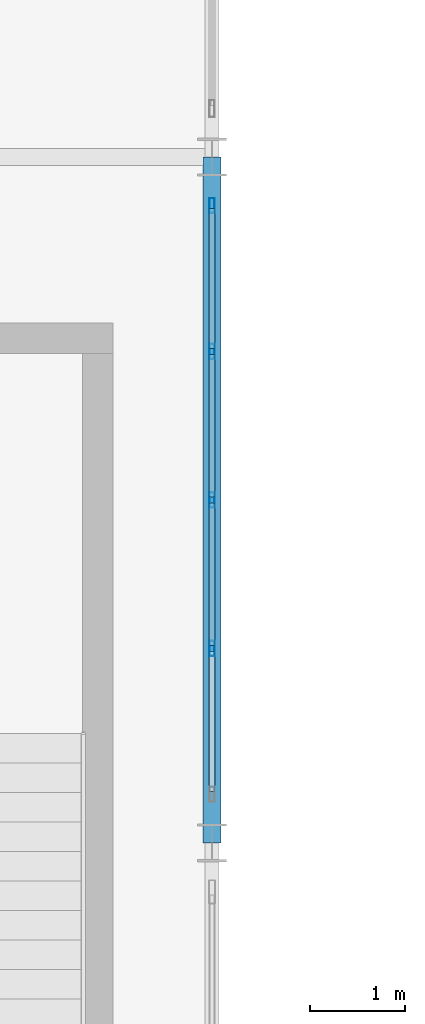
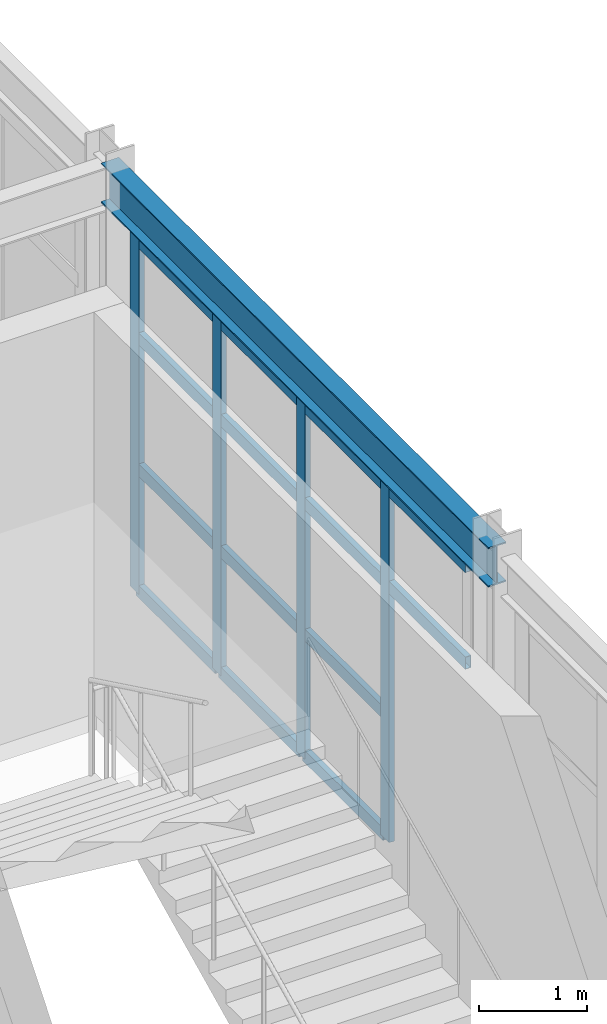
# One storey, part 26 of 126: 18 members, 1 beam, 1 element without a shape of its own.
"""IFC4 building model written with IfcOpenShell, lengths in metres."""

from ifc_helpers import new_model, si_unit, direction, frame, origin, origin_2d, place, context, subcontext, project, spatial, hollow_rectangle, i_section, extrude, material, layer, layer_set, material_profile, profile_set, type_object, element, aggregate, save


model = new_model("IFC4")

# Units and contexts
model_context = context("Model", 3, precision=1e-05, world=origin(), true_north=direction((0.0, 1.0)))
body_context = subcontext(model_context, "Body", "Model", "MODEL_VIEW")
ifc_project = project(units=[si_unit("LENGTHUNIT", "METRE"), si_unit("AREAUNIT", "SQUARE_METRE"), si_unit("VOLUMEUNIT", "CUBIC_METRE"), si_unit("PLANEANGLEUNIT", "RADIAN"), si_unit("MASSUNIT", "GRAM", prefix="KILO")], contexts=[model_context])

# Site, building, storey
site_placement = place(None, origin())
site = spatial("IfcSite", under=ifc_project, at=site_placement, CompositionType="ELEMENT")
building_placement = place(site_placement, origin())
building = spatial("IfcBuilding", under=site, at=building_placement, Name="Solvadek Multi-Sports Hall", CompositionType="ELEMENT")
storey_placement = place(building_placement, frame((0.0, 0.0, 9.60009765625)))
storey = spatial("IfcBuildingStorey", under=building, at=storey_placement, Name="L02", CompositionType="ELEMENT", Elevation=9.60009765625)

# Curtain wall, members
ifc_material_1 = material(Name="Anodised aluminium", Category="aluminium")
ifc_layer = layer(ifc_material_1, 0.159912109375, Name="Anodised aluminium")
ifc_layer_set = layer_set([ifc_layer], Name="Anodised aluminium")
curtain_wall_type = type_object("IfcCurtainWallType", Name="ENV-CW-624X403", PredefinedType="USERDEFINED", material=ifc_layer_set)
curtain_wall_placement = place(storey_placement, origin())
curtain_wall = element("IfcCurtainWall", 1, at=curtain_wall_placement, inside=storey, type_object=curtain_wall_type, Name="L02 Perimeter Bay Curtain Wall #188", ObjectType="CURTAIN WALL", PredefinedType="USERDEFINED")
ifc_material_profile_1 = material_profile(ifc_material_1, hollow_rectangle(XDim=0.06005859375, YDim=0.159912109375, WallThickness=0.00390625, at=origin_2d()), Name="ALU-M 160x60x4")
ifc_profile_set_1 = profile_set([ifc_material_profile_1], Name="Anodised aluminium")
member_type_1 = type_object("IfcMemberType", Name="ENV-CWM-01", PredefinedType="MULLION", material=ifc_profile_set_1)
member_1_placement = place(storey_placement, frame((21.60009765625, 29.639892578125, 0.0), z_axis=(0.0, 0.0, 1.0), x_axis=(-1.0, 0.0, 0.0)))
member_1 = element("IfcMember", 2, at=member_1_placement, type_object=member_type_1, Name="CW-43 mullion 2", PredefinedType="MULLION", context=body_context, shape_type="SweptSolid", body=[
    extrude(hollow_rectangle(XDim=0.06005859375, YDim=0.159912109375, WallThickness=0.00390625, at=origin_2d()), origin(), (0.0, 0.0, 1.0), 4.02490234375),
])
member_2_placement = place(storey_placement, frame((21.60009765625, 31.199951171875, 0.0), z_axis=(0.0, 0.0, 1.0), x_axis=(-1.0, 0.0, 0.0)))
member_2 = element("IfcMember", 3, at=member_2_placement, type_object=member_type_1, Name="CW-43 mullion 3", PredefinedType="MULLION", context=body_context, shape_type="SweptSolid", body=[
    extrude(hollow_rectangle(XDim=0.06005859375, YDim=0.159912109375, WallThickness=0.00390625, at=origin_2d()), origin(), (0.0, 0.0, 1.0), 4.02490234375),
])
member_3_placement = place(storey_placement, frame((21.60009765625, 32.760009765625, 0.0), z_axis=(0.0, 0.0, 1.0), x_axis=(-1.0, 0.0, 0.0)))
member_3 = element("IfcMember", 4, at=member_3_placement, type_object=member_type_1, Name="CW-43 mullion 4", PredefinedType="MULLION", context=body_context, shape_type="SweptSolid", body=[
    extrude(hollow_rectangle(XDim=0.06005859375, YDim=0.159912109375, WallThickness=0.00390625, at=origin_2d()), origin(), (0.0, 0.0, 1.0), 4.02490234375),
])
member_4_placement = place(storey_placement, frame((21.60009765625, 34.2900390625, 0.0), z_axis=(0.0, 0.0, 1.0), x_axis=(-1.0, 0.0, 0.0)))
member_4 = element("IfcMember", 5, at=member_4_placement, type_object=member_type_1, Name="CW-43 mullion 5", PredefinedType="MULLION", context=body_context, shape_type="SweptSolid", body=[
    extrude(hollow_rectangle(XDim=0.06005859375, YDim=0.159912109375, WallThickness=0.00390625, at=origin_2d()), origin(), (0.0, 0.0, 1.0), 4.02490234375),
])
ifc_material_profile_2 = material_profile(ifc_material_1, hollow_rectangle(XDim=0.06005859375, YDim=0.139892578125, WallThickness=0.00390625, at=origin_2d()), Name="ALU-T 140x60x4")
ifc_profile_set_2 = profile_set([ifc_material_profile_2], Name="Anodised aluminium")
member_type_2 = type_object("IfcMemberType", Name="ENV-CWT-02", PredefinedType="USERDEFINED", material=ifc_profile_set_2)
member_5_placement = place(storey_placement, frame((21.60009765625, 28.139892578125, 2.89794921875), z_axis=(0.0, 1.0, 0.0), x_axis=(-1.0, 0.0, 0.0)))
member_5 = element("IfcMember", 6, at=member_5_placement, type_object=member_type_2, Name="CW-43 transom 1.3", ObjectType="TRANSOM", PredefinedType="USERDEFINED", context=body_context, shape_type="SweptSolid", body=[
    extrude(hollow_rectangle(XDim=0.06005859375, YDim=0.139892578125, WallThickness=0.00390625, at=origin_2d()), origin(), (0.0, 0.0, 1.0), 1.47021484375),
])
member_6_placement = place(storey_placement, frame((21.60009765625, 28.139892578125, 3.994873046875), z_axis=(0.0, 1.0, 0.0), x_axis=(-1.0, 0.0, 0.0)))
member_6 = element("IfcMember", 7, at=member_6_placement, type_object=member_type_2, Name="CW-43 transom 1.4", ObjectType="TRANSOM", PredefinedType="USERDEFINED", context=body_context, shape_type="SweptSolid", body=[
    extrude(hollow_rectangle(XDim=0.06005859375, YDim=0.139892578125, WallThickness=0.00390625, at=origin_2d()), origin(), (0.0, 0.0, 1.0), 1.47021484375),
])
member_7_placement = place(storey_placement, frame((21.60009765625, 29.669921875, 0.02978515625), z_axis=(0.0, 1.0, 0.0), x_axis=(-1.0, 0.0, 0.0)))
member_7 = element("IfcMember", 8, at=member_7_placement, type_object=member_type_2, Name="CW-43 transom 2.1", ObjectType="TRANSOM", PredefinedType="USERDEFINED", context=body_context, shape_type="SweptSolid", body=[
    extrude(hollow_rectangle(XDim=0.06005859375, YDim=0.139892578125, WallThickness=0.00390625, at=origin_2d()), origin(), (0.0, 0.0, 1.0), 1.5),
])
member_8_placement = place(storey_placement, frame((21.60009765625, 29.669921875, 1.408935546875), z_axis=(0.0, 1.0, 0.0), x_axis=(-1.0, 0.0, 0.0)))
member_8 = element("IfcMember", 9, at=member_8_placement, type_object=member_type_2, Name="CW-43 transom 2.2", ObjectType="TRANSOM", PredefinedType="USERDEFINED", context=body_context, shape_type="SweptSolid", body=[
    extrude(hollow_rectangle(XDim=0.06005859375, YDim=0.139892578125, WallThickness=0.00390625, at=origin_2d()), origin(), (0.0, 0.0, 1.0), 1.5),
])
member_9_placement = place(storey_placement, frame((21.60009765625, 29.669921875, 2.89794921875), z_axis=(0.0, 1.0, 0.0), x_axis=(-1.0, 0.0, 0.0)))
member_9 = element("IfcMember", 10, at=member_9_placement, type_object=member_type_2, Name="CW-43 transom 2.3", ObjectType="TRANSOM", PredefinedType="USERDEFINED", context=body_context, shape_type="SweptSolid", body=[
    extrude(hollow_rectangle(XDim=0.06005859375, YDim=0.139892578125, WallThickness=0.00390625, at=origin_2d()), origin(), (0.0, 0.0, 1.0), 1.5),
])
member_10_placement = place(storey_placement, frame((21.60009765625, 29.669921875, 3.994873046875), z_axis=(0.0, 1.0, 0.0), x_axis=(-1.0, 0.0, 0.0)))
member_10 = element("IfcMember", 11, at=member_10_placement, type_object=member_type_2, Name="CW-43 transom 2.4", ObjectType="TRANSOM", PredefinedType="USERDEFINED", context=body_context, shape_type="SweptSolid", body=[
    extrude(hollow_rectangle(XDim=0.06005859375, YDim=0.139892578125, WallThickness=0.00390625, at=origin_2d()), origin(), (0.0, 0.0, 1.0), 1.5),
])
member_11_placement = place(storey_placement, frame((21.60009765625, 31.22998046875, 0.02978515625), z_axis=(0.0, 1.0, 0.0), x_axis=(-1.0, 0.0, 0.0)))
member_11 = element("IfcMember", 12, at=member_11_placement, type_object=member_type_2, Name="CW-43 transom 3.1", ObjectType="TRANSOM", PredefinedType="USERDEFINED", context=body_context, shape_type="SweptSolid", body=[
    extrude(hollow_rectangle(XDim=0.06005859375, YDim=0.139892578125, WallThickness=0.00390625, at=origin_2d()), origin(), (0.0, 0.0, 1.0), 1.5),
])
member_12_placement = place(storey_placement, frame((21.60009765625, 31.22998046875, 1.408935546875), z_axis=(0.0, 1.0, 0.0), x_axis=(-1.0, 0.0, 0.0)))
member_12 = element("IfcMember", 13, at=member_12_placement, type_object=member_type_2, Name="CW-43 transom 3.2", ObjectType="TRANSOM", PredefinedType="USERDEFINED", context=body_context, shape_type="SweptSolid", body=[
    extrude(hollow_rectangle(XDim=0.06005859375, YDim=0.139892578125, WallThickness=0.00390625, at=origin_2d()), origin(), (0.0, 0.0, 1.0), 1.5),
])
member_13_placement = place(storey_placement, frame((21.60009765625, 31.22998046875, 2.89794921875), z_axis=(0.0, 1.0, 0.0), x_axis=(-1.0, 0.0, 0.0)))
member_13 = element("IfcMember", 14, at=member_13_placement, type_object=member_type_2, Name="CW-43 transom 3.3", ObjectType="TRANSOM", PredefinedType="USERDEFINED", context=body_context, shape_type="SweptSolid", body=[
    extrude(hollow_rectangle(XDim=0.06005859375, YDim=0.139892578125, WallThickness=0.00390625, at=origin_2d()), origin(), (0.0, 0.0, 1.0), 1.5),
])
member_14_placement = place(storey_placement, frame((21.60009765625, 31.22998046875, 3.994873046875), z_axis=(0.0, 1.0, 0.0), x_axis=(-1.0, 0.0, 0.0)))
member_14 = element("IfcMember", 15, at=member_14_placement, type_object=member_type_2, Name="CW-43 transom 3.4", ObjectType="TRANSOM", PredefinedType="USERDEFINED", context=body_context, shape_type="SweptSolid", body=[
    extrude(hollow_rectangle(XDim=0.06005859375, YDim=0.139892578125, WallThickness=0.00390625, at=origin_2d()), origin(), (0.0, 0.0, 1.0), 1.5),
])
member_15_placement = place(storey_placement, frame((21.60009765625, 32.7900390625, 0.02978515625), z_axis=(0.0, 1.0, 0.0), x_axis=(-1.0, 0.0, 0.0)))
member_15 = element("IfcMember", 16, at=member_15_placement, type_object=member_type_2, Name="CW-43 transom 4.1", ObjectType="TRANSOM", PredefinedType="USERDEFINED", context=body_context, shape_type="SweptSolid", body=[
    extrude(hollow_rectangle(XDim=0.06005859375, YDim=0.139892578125, WallThickness=0.00390625, at=origin_2d()), origin(), (0.0, 0.0, 1.0), 1.469970703125),
])
member_16_placement = place(storey_placement, frame((21.60009765625, 32.7900390625, 1.408935546875), z_axis=(0.0, 1.0, 0.0), x_axis=(-1.0, 0.0, 0.0)))
member_16 = element("IfcMember", 17, at=member_16_placement, type_object=member_type_2, Name="CW-43 transom 4.2", ObjectType="TRANSOM", PredefinedType="USERDEFINED", context=body_context, shape_type="SweptSolid", body=[
    extrude(hollow_rectangle(XDim=0.06005859375, YDim=0.139892578125, WallThickness=0.00390625, at=origin_2d()), origin(), (0.0, 0.0, 1.0), 1.469970703125),
])
member_17_placement = place(storey_placement, frame((21.60009765625, 32.7900390625, 2.89794921875), z_axis=(0.0, 1.0, 0.0), x_axis=(-1.0, 0.0, 0.0)))
member_17 = element("IfcMember", 18, at=member_17_placement, type_object=member_type_2, Name="CW-43 transom 4.3", ObjectType="TRANSOM", PredefinedType="USERDEFINED", context=body_context, shape_type="SweptSolid", body=[
    extrude(hollow_rectangle(XDim=0.06005859375, YDim=0.139892578125, WallThickness=0.00390625, at=origin_2d()), origin(), (0.0, 0.0, 1.0), 1.469970703125),
])
member_18_placement = place(storey_placement, frame((21.60009765625, 32.7900390625, 3.994873046875), z_axis=(0.0, 1.0, 0.0), x_axis=(-1.0, 0.0, 0.0)))
member_18 = element("IfcMember", 19, at=member_18_placement, type_object=member_type_2, Name="CW-43 transom 4.4", ObjectType="TRANSOM", PredefinedType="USERDEFINED", context=body_context, shape_type="SweptSolid", body=[
    extrude(hollow_rectangle(XDim=0.06005859375, YDim=0.139892578125, WallThickness=0.00390625, at=origin_2d()), origin(), (0.0, 0.0, 1.0), 1.469970703125),
])
aggregate(curtain_wall, [member_1, member_2, member_3, member_4, member_5, member_6, member_7, member_8, member_9, member_10, member_11, member_12, member_13, member_14, member_15, member_16, member_17, member_18])

# Beam
ifc_material_2 = material(Name="Steel E350 (350 MPa)", Category="steel")
ifc_material_profile_3 = material_profile(ifc_material_2, i_section(OverallWidth=0.18994140625, OverallDepth=0.449951171875, WebThickness=0.009521484375, FlangeThickness=0.0146484375, at=origin_2d()), Name="NPB 450")
ifc_profile_set_3 = profile_set([ifc_material_profile_3], Name="Steel E350 (350 MPa)")
beam_type = type_object("IfcBeamType", Name="STR-BM-NPB450", PredefinedType="BEAM", material=ifc_profile_set_3)
beam_placement = place(storey_placement, frame((21.60009765625, 27.60009765625, 4.3349609375), z_axis=(0.0, 1.0, 0.0), x_axis=(-1.0, 0.0, 0.0)))
element("IfcBeam", 20, at=beam_placement, inside=storey, type_object=beam_type, Name="L02 Girder B-08 #1487", PredefinedType="BEAM", context=body_context, shape_type="SweptSolid", body=[
    extrude(i_section(OverallWidth=0.18994140625, OverallDepth=0.449951171875, WebThickness=0.009521484375, FlangeThickness=0.0146484375, at=origin_2d()), origin(), (0.0, 0.0, 1.0), 7.199951171875),
])

save(model, "model.ifc")
